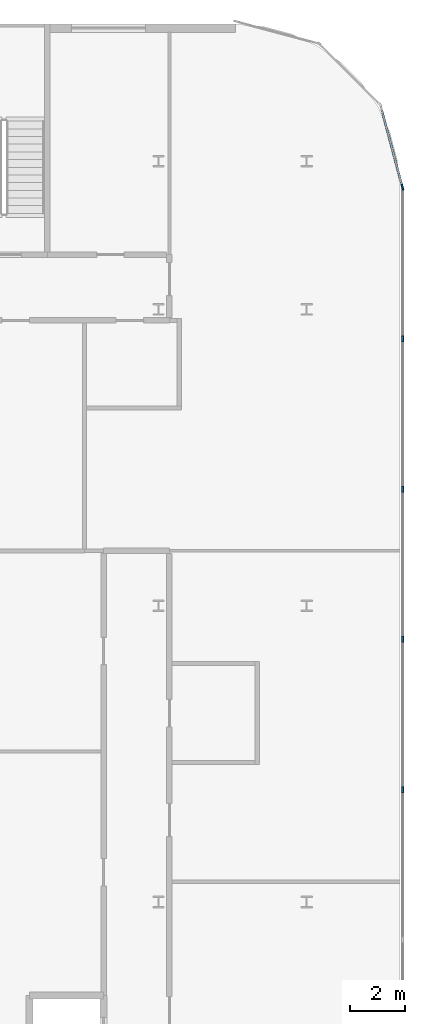
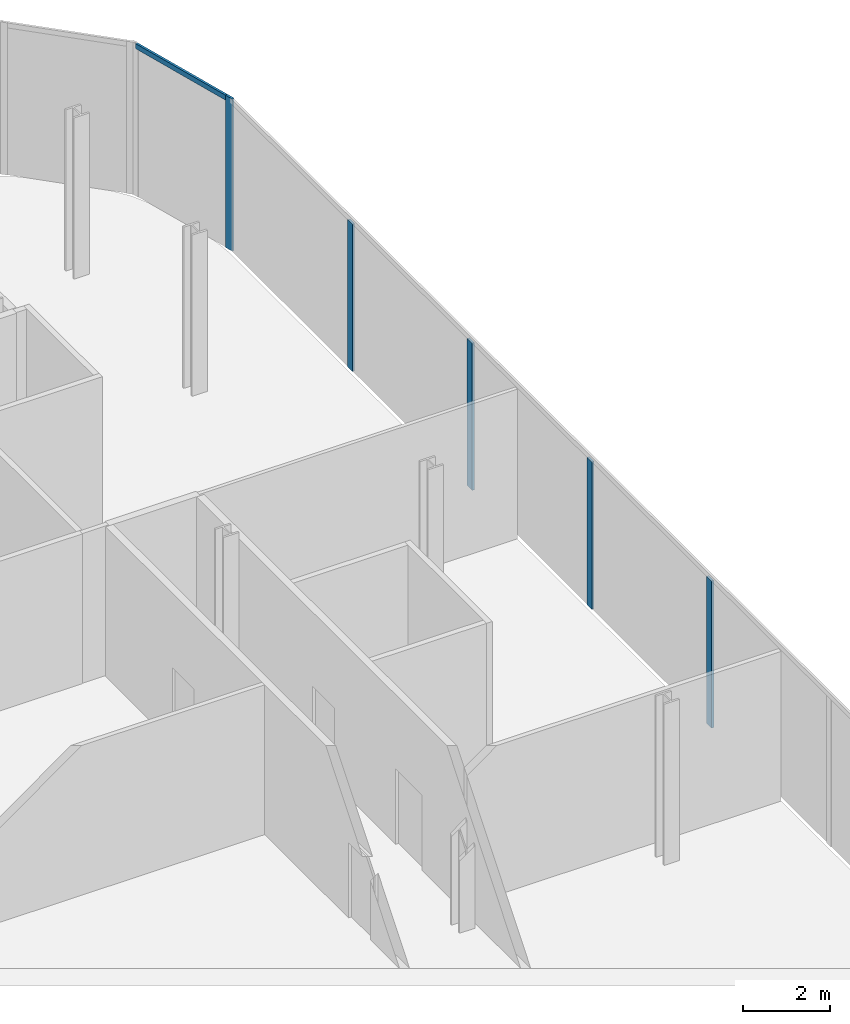
# One storey, part 21 of 47: 6 members, 2 elements without a shape of their own.
"""IFC4 building model written with IfcOpenShell, lengths in metres."""

from ifc_helpers import new_model, si_unit, direction, frame, origin, origin_2d, place, context, subcontext, project, spatial, rectangle, extrude, material, layer, layer_set, material_profile, profile_set, type_object, element, aggregate, save


model = new_model("IFC4")

# Units and contexts
model_context = context("Model", 3, precision=1e-05, world=origin(), true_north=direction((0.0, 1.0)))
body_context = subcontext(model_context, "Body", "Model", "MODEL_VIEW")
ifc_project = project(units=[si_unit("LENGTHUNIT", "METRE"), si_unit("AREAUNIT", "SQUARE_METRE"), si_unit("VOLUMEUNIT", "CUBIC_METRE"), si_unit("PLANEANGLEUNIT", "RADIAN"), si_unit("MASSUNIT", "GRAM", prefix="KILO")], contexts=[model_context])

# Site, building, storey
site_placement = place(None, origin())
site = spatial("IfcSite", under=ifc_project, at=site_placement, CompositionType="ELEMENT")
building_placement = place(site_placement, origin())
building = spatial("IfcBuilding", under=site, at=building_placement, Name="Kheshtan School and Residences Tower", CompositionType="ELEMENT")
storey_placement = place(building_placement, frame((0.0, 0.0, 21.5)))
storey = spatial("IfcBuildingStorey", under=building, at=storey_placement, Name="L04", CompositionType="ELEMENT", Elevation=21.5)

# Curtain wall, member
ifc_material_1 = material(Name="Clear low-e glass in thermally broken aluminium frame", Category="aluminium")
ifc_layer = layer(ifc_material_1, 0.22509765625)
ifc_layer_set = layer_set([ifc_layer], Name="Curtain wall CW-P")
curtain_wall_type = type_object("IfcCurtainWallType", Name="Curtain wall CW-P", PredefinedType="NOTDEFINED", material=ifc_layer_set)
curtain_wall_1_placement = place(storey_placement, origin())
curtain_wall_1 = element("IfcCurtainWall", 1, at=curtain_wall_1_placement, inside=storey, type_object=curtain_wall_type, Name="Curtain wall CWP7a", PredefinedType="NOTDEFINED")
ifc_material_2 = material(Name="Thermally broken aluminium, dark bronze anodised", Category="aluminium")
ifc_material_profile_1 = material_profile(ifc_material_2, rectangle(XDim=0.06005859375, YDim=0.22509765625, at=origin_2d()), Name="CW-P mullion 60x225")
ifc_profile_set_1 = profile_set([ifc_material_profile_1], Name="Thermally broken aluminium, dark bronze anodised")
member_type_1 = type_object("IfcMemberType", Name="CW-P mullion 60x225", PredefinedType="MULLION", material=ifc_profile_set_1)
member_1_placement = place(storey_placement, frame((132.0888671875, 104.054931640625, 0.0), z_axis=(0.0, 0.0, 1.0), x_axis=(0.965913556273, 0.258864833085, 0.0)))
member_1 = element("IfcMember", 2, at=member_1_placement, type_object=member_type_1, Name="CWP7a mullion 2", PredefinedType="MULLION", context=body_context, shape_type="SweptSolid", body=[
    extrude(rectangle(XDim=0.06005859375, YDim=0.22509765625, at=origin_2d()), origin(), (0.0, 0.0, 1.0), 4.25),
])

# Curtain wall, members
curtain_wall_2_placement = place(storey_placement, origin())
curtain_wall_2 = element("IfcCurtainWall", 3, at=curtain_wall_2_placement, inside=storey, type_object=curtain_wall_type, Name="Curtain wall CWP8a", PredefinedType="NOTDEFINED")
member_2_placement = place(storey_placement, frame((132.10009765625, 98.5244140625, 0.0), z_axis=(0.0, 0.0, 1.0), x_axis=(1.0, 0.0, 0.0)))
member_2 = element("IfcMember", 4, at=member_2_placement, type_object=member_type_1, Name="CWP8a mullion 2", PredefinedType="MULLION", context=body_context, shape_type="SweptSolid", body=[
    extrude(rectangle(XDim=0.06005859375, YDim=0.22509765625, at=origin_2d()), origin(), (0.0, 0.0, 1.0), 4.110107421875),
])
member_3_placement = place(storey_placement, frame((132.10009765625, 93.048828125, 0.0), z_axis=(0.0, 0.0, 1.0), x_axis=(1.0, 0.0, 0.0)))
member_3 = element("IfcMember", 5, at=member_3_placement, type_object=member_type_1, Name="CWP8a mullion 3", PredefinedType="MULLION", context=body_context, shape_type="SweptSolid", body=[
    extrude(rectangle(XDim=0.06005859375, YDim=0.22509765625, at=origin_2d()), origin(), (0.0, 0.0, 1.0), 4.110107421875),
])
member_4_placement = place(storey_placement, frame((132.10009765625, 87.5732421875, 0.0), z_axis=(0.0, 0.0, 1.0), x_axis=(1.0, 0.0, 0.0)))
member_4 = element("IfcMember", 6, at=member_4_placement, type_object=member_type_1, Name="CWP8a mullion 4", PredefinedType="MULLION", context=body_context, shape_type="SweptSolid", body=[
    extrude(rectangle(XDim=0.06005859375, YDim=0.22509765625, at=origin_2d()), origin(), (0.0, 0.0, 1.0), 4.110107421875),
])
member_5_placement = place(storey_placement, frame((132.10009765625, 82.09765625, 0.0), z_axis=(0.0, 0.0, 1.0), x_axis=(1.0, 0.0, 0.0)))
member_5 = element("IfcMember", 7, at=member_5_placement, type_object=member_type_1, Name="CWP8a mullion 5", PredefinedType="MULLION", context=body_context, shape_type="SweptSolid", body=[
    extrude(rectangle(XDim=0.06005859375, YDim=0.22509765625, at=origin_2d()), origin(), (0.0, 0.0, 1.0), 4.110107421875),
])
aggregate(curtain_wall_2, [member_2, member_3, member_4, member_5])

# Member
ifc_material_profile_2 = material_profile(ifc_material_2, rectangle(XDim=0.06005859375, YDim=0.139892578125, at=origin_2d()), Name="CW-P transom 60x140")
ifc_profile_set_2 = profile_set([ifc_material_profile_2], Name="Thermally broken aluminium, dark bronze anodised")
member_type_2 = type_object("IfcMemberType", Name="CW-P transom 60x140", PredefinedType="USERDEFINED", material=ifc_profile_set_2)
member_6_placement = place(storey_placement, frame((131.30810546875, 106.968017578125, 4.179931640625), z_axis=(0.258853238275, -0.965916663607, 0.0), x_axis=(0.965916663607, 0.258853238275, 0.0)))
member_6 = element("IfcMember", 8, at=member_6_placement, type_object=member_type_2, Name="CWP7a transom 1", ObjectType="TRANSOM", PredefinedType="USERDEFINED", context=body_context, shape_type="SweptSolid", body=[
    extrude(rectangle(XDim=0.06005859375, YDim=0.139892578125, at=origin_2d()), origin(), (0.0, 0.0, 1.0), 2.986083984375),
])

aggregate(curtain_wall_1, [member_1, member_6])

save(model, "model.ifc")
